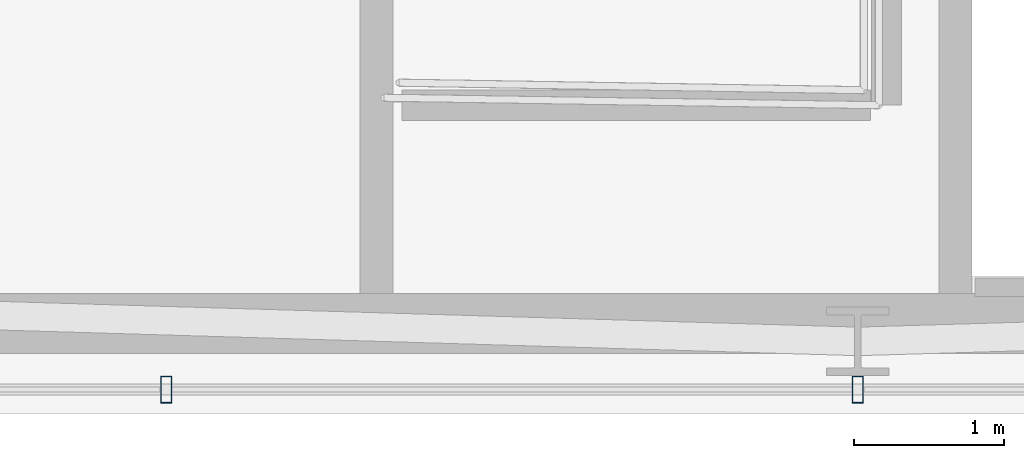
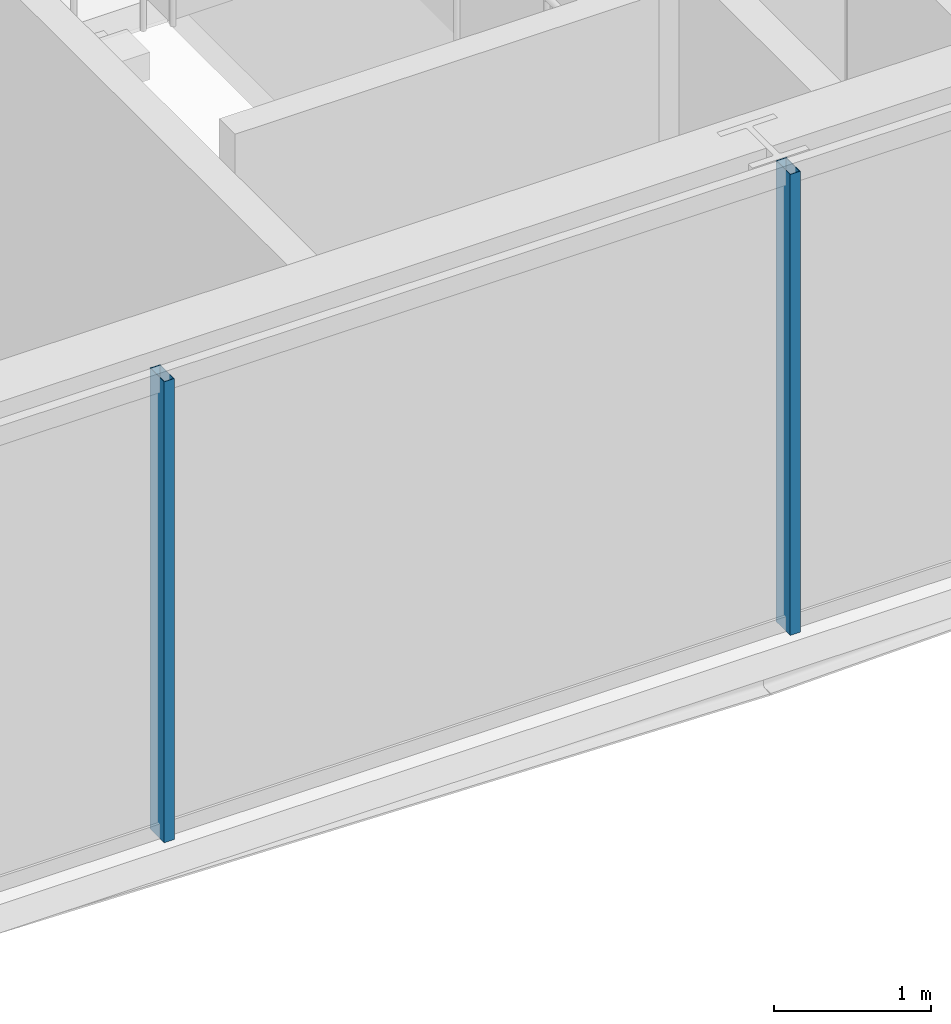
# One storey, part 7 of 33: 2 members, 1 element without a shape of its own.
"""IFC4 building model written with IfcOpenShell, lengths in metres."""

from ifc_helpers import new_model, si_unit, direction, frame, origin, origin_2d, place, context, subcontext, project, spatial, hollow_rectangle, extrude, material, layer, layer_set, material_profile, profile_set, type_object, element, aggregate, save


model = new_model("IFC4")

# Units and contexts
model_context = context("Model", 3, precision=1e-05, world=origin(), true_north=direction((0.0, 1.0)))
body_context = subcontext(model_context, "Body", "Model", "MODEL_VIEW")
ifc_project = project(units=[si_unit("LENGTHUNIT", "METRE"), si_unit("AREAUNIT", "SQUARE_METRE"), si_unit("VOLUMEUNIT", "CUBIC_METRE"), si_unit("PLANEANGLEUNIT", "RADIAN"), si_unit("MASSUNIT", "GRAM", prefix="KILO")], contexts=[model_context])

# Site, building, storey
site_placement = place(None, origin())
site = spatial("IfcSite", under=ifc_project, at=site_placement, CompositionType="ELEMENT")
building_placement = place(site_placement, origin())
building = spatial("IfcBuilding", under=site, at=building_placement, Name="Ndaravel Arena Tower", CompositionType="ELEMENT")
storey_placement = place(building_placement, frame((0.0, 0.0, 168.800048828125)))
storey = spatial("IfcBuildingStorey", under=building, at=storey_placement, Name="L40", CompositionType="ELEMENT", Elevation=168.800048828125)

# Curtain wall, members
ifc_material_1 = material(Name="Aluminium", Category="aluminium")
ifc_layer = layer(ifc_material_1, 0.179931640625)
ifc_layer_set = layer_set([ifc_layer], Name="Aluminium")
curtain_wall_type = type_object("IfcCurtainWallType", Name="CW-SYS-03", PredefinedType="NOTDEFINED", material=ifc_layer_set)
curtain_wall_placement = place(storey_placement, origin())
curtain_wall = element("IfcCurtainWall", 1, at=curtain_wall_placement, inside=storey, type_object=curtain_wall_type, Name="L40 Faceted Crystal Curtain Wall CW-L40-E01", PredefinedType="NOTDEFINED")
ifc_material_2 = material(Name="Aluminium", Category="aluminium")
ifc_material_profile = material_profile(ifc_material_2, hollow_rectangle(XDim=0.074951171875, YDim=0.179931640625, WallThickness=0.00390625, at=origin_2d()), Name="CW MULLION 75x180x4")
ifc_profile_set = profile_set([ifc_material_profile], Name="Aluminium")
member_type = type_object("IfcMemberType", Name="MEM-CW-MUL180", PredefinedType="MULLION", material=ifc_profile_set)
member_1_placement = place(storey_placement, frame((37.40234375, 5.159912109375, 0.0), z_axis=(0.0, 0.0, 1.0), x_axis=(1.0, 0.0, 0.0)))
member_1 = element("IfcMember", 2, at=member_1_placement, type_object=member_type, Name="CW-L40-E01 Mullion 03", PredefinedType="MULLION", context=body_context, shape_type="SweptSolid", body=[
    extrude(hollow_rectangle(XDim=0.074951171875, YDim=0.179931640625, WallThickness=0.00390625, at=origin_2d()), origin(), (0.0, 0.0, 1.0), 3.579833984375),
])
member_2_placement = place(storey_placement, frame((42.0, 5.159912109375, 0.0), z_axis=(0.0, 0.0, 1.0), x_axis=(1.0, 0.0, 0.0)))
member_2 = element("IfcMember", 3, at=member_2_placement, type_object=member_type, Name="CW-L40-E01 Mullion 04", PredefinedType="MULLION", context=body_context, shape_type="SweptSolid", body=[
    extrude(hollow_rectangle(XDim=0.074951171875, YDim=0.179931640625, WallThickness=0.00390625, at=origin_2d()), origin(), (0.0, 0.0, 1.0), 3.579833984375),
])
aggregate(curtain_wall, [member_1, member_2])

save(model, "model.ifc")
